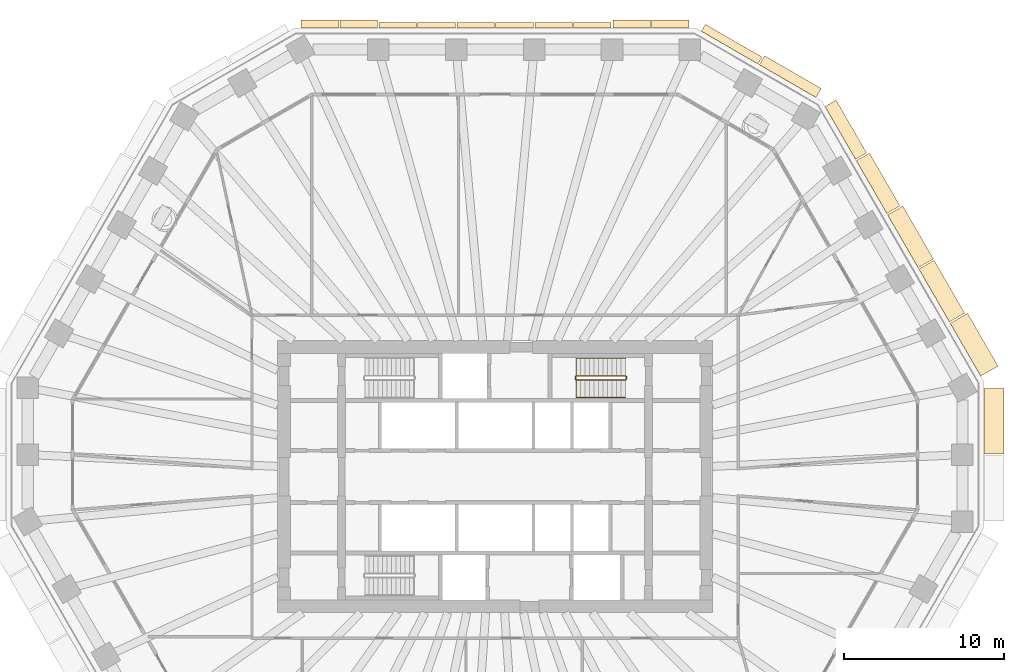
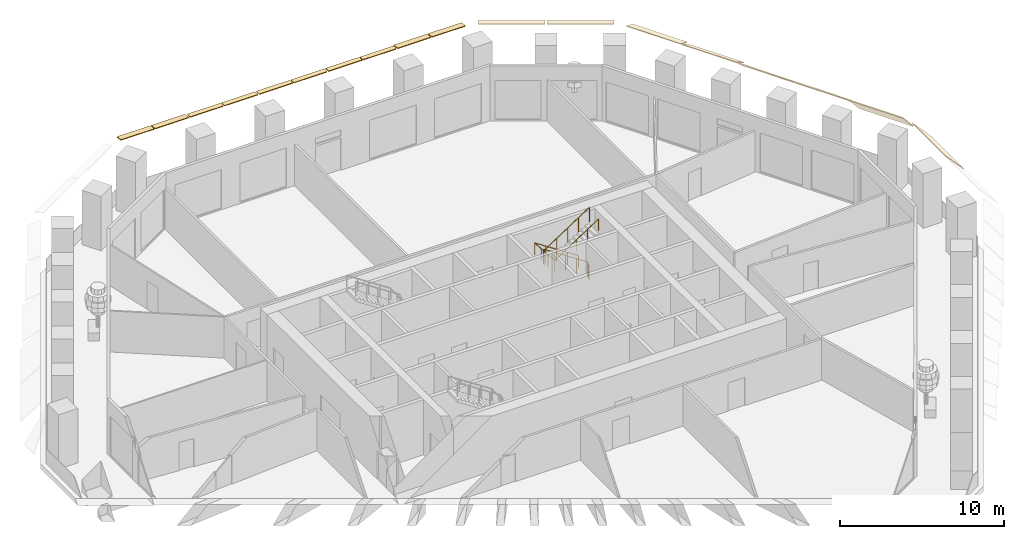
# One storey, part 10 of 12: 18 coverings, 2 railings.
"""IFC4 building model written with IfcOpenShell, lengths in metres."""

from ifc_helpers import new_model, si_unit, direction, frame, origin, origin_2d, place, context, subcontext, project, spatial, polyline, circle, outline, extrude, material, layer, layer_set, type_object, element, save


model = new_model("IFC4")

# Units and contexts
model_context = context("Model", 3, precision=1e-05, world=origin(), true_north=direction((0.0, 1.0)))
body_context = subcontext(model_context, "Body", "Model", "MODEL_VIEW")
ifc_project = project(units=[si_unit("LENGTHUNIT", "METRE"), si_unit("AREAUNIT", "SQUARE_METRE"), si_unit("VOLUMEUNIT", "CUBIC_METRE"), si_unit("PLANEANGLEUNIT", "RADIAN"), si_unit("MASSUNIT", "GRAM", prefix="KILO")], contexts=[model_context])

# Site, building, storey
site_placement = place(None, origin())
site = spatial("IfcSite", under=ifc_project, at=site_placement, CompositionType="ELEMENT")
building_placement = place(site_placement, origin())
building = spatial("IfcBuilding", under=site, at=building_placement, Name="Frailejon Research Tower", CompositionType="ELEMENT")
storey_placement = place(building_placement, frame((0.0, 0.0, 130.800048828125)))
storey = spatial("IfcBuildingStorey", under=building, at=storey_placement, Name="L28", CompositionType="ELEMENT", Elevation=130.800048828125)

# Coverings
ifc_material_1 = material(Name="Precast concrete C50/60", Category="concrete")
ifc_layer_1 = layer(ifc_material_1, 0.06005859375)
ifc_layer_set_1 = layer_set([ifc_layer_1], Name="Brim blade depth 1100")
covering_type_1 = type_object("IfcCoveringType", Name="Brim blade depth 1100", PredefinedType="CLADDING", material=ifc_layer_set_1)
covering_1_placement = place(storey_placement, frame((26.49267578125, 12.97900390625, 4.25), z_axis=(0.499990149831, -0.866031090707, 0.0), x_axis=(0.866031090707, 0.499990149831, 0.0)))
element("IfcCovering", 1, at=covering_1_placement, inside=storey, type_object=covering_type_1, Name="Brim blade L28", PredefinedType="CLADDING", context=body_context, shape_type="SweptSolid", body=[
    extrude(outline(polyline([(0.0, -0.078369140625), (1.10009765625, -1.001220703125), (1.10009765625, -0.923095703125), (0.0, 0.0), (0.0, -0.078369140625)])), origin(), (0.0, 0.0, 1.0), 3.812744140625),
])
covering_2_placement = place(storey_placement, frame((24.536376953125, 16.3671875, 4.25), z_axis=(0.500001217064, -0.866024701111, 0.0), x_axis=(0.866024701111, 0.500001217064, 0.0)))
element("IfcCovering", 2, at=covering_2_placement, inside=storey, type_object=covering_type_1, Name="Brim blade L28", PredefinedType="CLADDING", context=body_context, shape_type="SweptSolid", body=[
    extrude(outline(polyline([(0.0, -0.078369140625), (1.10009765625, -1.001220703125), (1.10009765625, -0.923095703125), (0.0, 0.0), (0.0, -0.078369140625)])), origin(), (0.0, 0.0, 1.0), 3.8125),
])
ifc_material_2 = material(Name="Precast concrete C50/60", Category="concrete")
ifc_layer_2 = layer(ifc_material_2, 0.06005859375)
ifc_layer_set_2 = layer_set([ifc_layer_2], Name="Brim blade depth 1250")
covering_type_2 = type_object("IfcCoveringType", Name="Brim blade depth 1250", PredefinedType="CLADDING", material=ifc_layer_set_2)
covering_3_placement = place(storey_placement, frame((30.56103515625, 5.520263671875, 4.25), z_axis=(0.0, -1.0, 0.0), x_axis=(1.0, 0.0, 0.0)))
element("IfcCovering", 3, at=covering_3_placement, inside=storey, type_object=covering_type_2, Name="Brim blade L28", PredefinedType="CLADDING", context=body_context, shape_type="SweptSolid", body=[
    extrude(outline(polyline([(0.0, -0.0888671875), (1.25, -1.452880859375), (1.25, -1.364013671875), (0.0, 0.0), (0.0, -0.0888671875)])), origin(), (0.0, 0.0, 1.0), 4.08740234375),
])
covering_4_placement = place(storey_placement, frame((28.448974609375, 9.59033203125, 4.25), z_axis=(0.500001217064, -0.866024701111, 0.0), x_axis=(0.866024701111, 0.500001217064, 0.0)))
element("IfcCovering", 4, at=covering_4_placement, inside=storey, type_object=covering_type_2, Name="Brim blade L28", PredefinedType="CLADDING", context=body_context, shape_type="SweptSolid", body=[
    extrude(outline(polyline([(0.0, -0.0888671875), (1.25, -1.452880859375), (1.25, -1.364013671875), (0.0, 0.0), (0.0, -0.0888671875)])), origin(), (0.0, 0.0, 1.0), 3.8125),
])
ifc_material_3 = material(Name="Precast concrete C50/60", Category="concrete")
ifc_layer_3 = layer(ifc_material_3, 0.06005859375)
ifc_layer_set_3 = layer_set([ifc_layer_3], Name="Brim blade depth 350")
covering_type_3 = type_object("IfcCoveringType", Name="Brim blade depth 350", PredefinedType="CLADDING", material=ifc_layer_set_3)
for number, where, z_axis, x_axis, name in (
    (5, (4.900634765625, 28.050048828125, 4.25), (1.0, 0.0, 0.0), (0.0, 1.0, 0.0), "Brim blade L28"),
    (6, (2.4853515625, 28.050048828125, 4.25), (1.0, 0.0, 0.0), (0.0, 1.0, 0.0), "Brim blade L28"),
    (7, (0.030029296875, 28.050048828125, 4.25), (1.0, 0.0, 0.0), (0.0, 1.0, 0.0), "Brim blade L28"),
    (8, (-2.38525390625, 28.050048828125, 4.25), (1.0, 0.0, 0.0), (0.0, 1.0, 0.0), "Brim blade L28"),
    (9, (-4.840576171875, 28.050048828125, 4.25), (1.0, 0.0, 0.0), (0.0, 1.0, 0.0), "Brim blade L28"),
    (10, (-7.255859375, 28.050048828125, 4.25), (1.0, 0.0, 0.0), (0.0, 1.0, 0.0), "Brim blade L28"),
):
    element("IfcCovering", number, at=place(storey_placement, frame(where, z_axis=z_axis, x_axis=x_axis)), inside=storey, type_object=covering_type_3, Name=name, PredefinedType="CLADDING", context=body_context, shape_type="SweptSolid", body=[
        extrude(outline(polyline([(0.0, -0.06005859375), (0.35009765625, -0.06005859375), (0.35009765625, 0.0), (0.0, 0.0), (0.0, -0.06005859375)])), origin(), (0.0, 0.0, 1.0), 2.355224609375),
    ])
ifc_material_4 = material(Name="Precast concrete C50/60", Category="concrete")
ifc_layer_4 = layer(ifc_material_4, 0.06005859375)
ifc_layer_set_4 = layer_set([ifc_layer_4], Name="Brim blade depth 500")
covering_type_4 = type_object("IfcCoveringType", Name="Brim blade depth 500", PredefinedType="CLADDING", material=ifc_layer_set_4)
covering_5_placement = place(storey_placement, frame((12.894775390625, 27.843994140625, 4.25), z_axis=(0.866027315287, -0.499996689166, 0.0), x_axis=(0.499996689166, 0.866027315287, 0.0)))
element("IfcCovering", 11, at=covering_5_placement, inside=storey, type_object=covering_type_4, Name="Brim blade L28", PredefinedType="CLADDING", context=body_context, shape_type="SweptSolid", body=[
    extrude(outline(polyline([(0.0, -0.060546875), (0.5, -0.130859375), (0.5, -0.0703125), (0.0, 0.0), (0.0, -0.060546875)])), origin(), (0.0, 0.0, 1.0), 4.087646484375),
])
for number, where, z_axis, x_axis, name in (
    (12, (9.771240234375, 28.050048828125, 4.25), (1.0, 0.0, 0.0), (0.0, 1.0, 0.0), "Brim blade L28"),
    (13, (7.35595703125, 28.050048828125, 4.25), (1.0, 0.0, 0.0), (0.0, 1.0, 0.0), "Brim blade L28"),
    (14, (-9.711181640625, 28.050048828125, 4.25), (1.0, 0.0, 0.0), (0.0, 1.0, 0.0), "Brim blade L28"),
    (15, (-12.12646484375, 28.050048828125, 4.25), (1.0, 0.0, 0.0), (0.0, 1.0, 0.0), "Brim blade L28"),
):
    element("IfcCovering", number, at=place(storey_placement, frame(where, z_axis=z_axis, x_axis=x_axis)), inside=storey, type_object=covering_type_4, Name=name, PredefinedType="CLADDING", context=body_context, shape_type="SweptSolid", body=[
        extrude(outline(polyline([(0.0, -0.060546875), (0.5, -0.130859375), (0.5, -0.0703125), (0.0, 0.0), (0.0, -0.060546875)])), origin(), (0.0, 0.0, 1.0), 2.355224609375),
    ])
ifc_material_5 = material(Name="Precast concrete C50/60", Category="concrete")
ifc_layer_5 = layer(ifc_material_5, 0.06005859375)
ifc_layer_set_5 = layer_set([ifc_layer_5], Name="Brim blade depth 650")
covering_type_5 = type_object("IfcCoveringType", Name="Brim blade depth 650", PredefinedType="CLADDING", material=ifc_layer_set_5)
covering_6_placement = place(storey_placement, frame((16.521484375, 25.750244140625, 4.25), z_axis=(0.866021344981, -0.500007029989, 0.0), x_axis=(0.500007029989, 0.866021344981, 0.0)))
element("IfcCovering", 16, at=covering_6_placement, inside=storey, type_object=covering_type_5, Name="Brim blade L28", PredefinedType="CLADDING", context=body_context, shape_type="SweptSolid", body=[
    extrude(outline(polyline([(0.0, -0.0625), (0.64990234375, -0.248779296875), (0.64990234375, -0.186279296875), (0.0, 0.0), (0.0, -0.0625)])), origin(), (0.0, 0.0, 1.0), 4.08740234375),
])
ifc_material_6 = material(Name="Precast concrete C50/60", Category="concrete")
ifc_layer_6 = layer(ifc_material_6, 0.06005859375)
ifc_layer_set_6 = layer_set([ifc_layer_6], Name="Brim blade depth 800")
covering_type_6 = type_object("IfcCoveringType", Name="Brim blade depth 800", PredefinedType="CLADDING", material=ifc_layer_set_6)
covering_7_placement = place(storey_placement, frame((20.623779296875, 23.14404296875, 4.25), z_axis=(0.500001217064, -0.866024701111, 0.0), x_axis=(0.866024701111, 0.500001217064, 0.0)))
element("IfcCovering", 17, at=covering_7_placement, inside=storey, type_object=covering_type_6, Name="Brim blade L28", PredefinedType="CLADDING", context=body_context, shape_type="SweptSolid", body=[
    extrude(outline(polyline([(0.0, -0.065673828125), (0.800048828125, -0.421875), (0.800048828125, -0.356201171875), (0.0, 0.0), (0.0, -0.065673828125)])), origin(), (0.0, 0.0, 1.0), 3.8125),
])
ifc_material_7 = material(Name="Precast concrete C50/60", Category="concrete")
ifc_layer_7 = layer(ifc_material_7, 0.06005859375)
ifc_layer_set_7 = layer_set([ifc_layer_7], Name="Brim blade depth 950")
covering_type_7 = type_object("IfcCoveringType", Name="Brim blade depth 950", PredefinedType="CLADDING", material=ifc_layer_set_7)
covering_8_placement = place(storey_placement, frame((22.580078125, 19.755615234375, 4.25), z_axis=(0.500001217064, -0.866024701111, 0.0), x_axis=(0.866024701111, 0.500001217064, 0.0)))
element("IfcCovering", 18, at=covering_8_placement, inside=storey, type_object=covering_type_7, Name="Brim blade L28", PredefinedType="CLADDING", context=body_context, shape_type="SweptSolid", body=[
    extrude(outline(polyline([(0.0, -0.07080078125), (0.949951171875, -0.664306640625), (0.949951171875, -0.593505859375), (0.0, 0.0), (0.0, -0.07080078125)])), origin(), (0.0, 0.0, 1.0), 3.8125),
])

# Railings
ifc_material_8 = material(Name="Stainless steel", Category="steel")
railing_type_1 = type_object("IfcRailingType", Name="Stair guard 1100", PredefinedType="GUARDRAIL", material=ifc_material_8)
railing_1_placement = place(storey_placement, frame((8.199951171875, 6.10009765625, 0.0)))
element("IfcRailing", 19, at=railing_1_placement, inside=storey, type_object=railing_type_1, Name="L28 ST3 stair guard 1", PredefinedType="GUARDRAIL", context=body_context, shape_type="SweptSolid", body=[
    extrude(circle(Radius=0.02392578125, at=origin_2d()), frame((0.0, 0.0, 1.076171875), z_axis=(0.0, 1.0, 0.0), x_axis=(-1.0, 0.0, 0.0)), (0.0, 0.0, 1.0), 0.14990234375),
    extrude(circle(Radius=0.02392578125, at=origin_2d()), frame((0.0, 0.14990234375, 1.076171875), z_axis=(-0.254653276557, 0.254653276557, 0.932900539971), x_axis=(-0.707106781187, -0.707106781187, 0.0)), (0.0, 0.0, 1.0), 0.196533203125),
    extrude(circle(Radius=0.02392578125, at=origin_2d()), frame((-0.050048828125, 0.199951171875, 1.25927734375), z_axis=(-0.836613101238, 0.0, 0.547794230379), x_axis=(0.0, -1.0, 0.0)), (0.0, 0.0, 1.0), 3.681396484375),
    extrude(circle(Radius=0.02392578125, at=origin_2d()), frame((-3.1298828125, 0.199951171875, 3.27587890625), z_axis=(-0.707106781187, -0.707106781187, 0.0), x_axis=(0.707106781187, -0.707106781187, 0.0)), (0.0, 0.0, 1.0), 0.07080078125),
    extrude(circle(Radius=0.02392578125, at=origin_2d()), frame((-3.179931640625, 0.14990234375, 3.27587890625), z_axis=(0.0, -1.0, 0.0), x_axis=(1.0, 0.0, 0.0)), (0.0, 0.0, 1.0), 0.14990234375),
    extrude(circle(Radius=0.02392578125, at=origin_2d()), frame((-3.179931640625, 0.0, 3.27587890625), z_axis=(0.254653276557, -0.254653276557, 0.932900539971), x_axis=(0.707106781187, 0.707106781187, 0.0)), (0.0, 0.0, 1.0), 0.196533203125),
    extrude(circle(Radius=0.02392578125, at=origin_2d()), frame((-3.1298828125, -0.050048828125, 3.45947265625), z_axis=(0.836613101238, 0.0, 0.547794230379), x_axis=(0.0, 1.0, 0.0)), (0.0, 0.0, 1.0), 3.681396484375),
    extrude(circle(Radius=0.02099609375, at=origin_2d()), origin(), (0.0, 0.0, 1.0), 1.052001953125),
    extrude(circle(Radius=0.02099609375, at=origin_2d()), frame((0.0, 0.14990234375, 0.0)), (0.0, 0.0, 1.0), 1.052001953125),
    extrude(circle(Radius=0.02099609375, at=origin_2d()), frame((-0.050048828125, 0.199951171875, 0.183349609375)), (0.0, 0.0, 1.0), 1.052001953125),
    extrude(circle(Radius=0.02099609375, at=origin_2d()), frame((-0.820068359375, 0.199951171875, 0.6875)), (0.0, 0.0, 1.0), 1.052001953125),
    extrude(circle(Radius=0.02099609375, at=origin_2d()), frame((-1.58984375, 0.199951171875, 1.191650390625)), (0.0, 0.0, 1.0), 1.052001953125),
    extrude(circle(Radius=0.02099609375, at=origin_2d()), frame((-2.35986328125, 0.199951171875, 1.69580078125)), (0.0, 0.0, 1.0), 1.052001953125),
    extrude(circle(Radius=0.02099609375, at=origin_2d()), frame((-3.1298828125, 0.199951171875, 2.199951171875)), (0.0, 0.0, 1.0), 1.052001953125),
    extrude(circle(Radius=0.02099609375, at=origin_2d()), frame((-3.179931640625, 0.14990234375, 2.199951171875)), (0.0, 0.0, 1.0), 1.052001953125),
    extrude(circle(Radius=0.02099609375, at=origin_2d()), frame((-3.179931640625, 0.0, 2.199951171875)), (0.0, 0.0, 1.0), 1.052001953125),
    extrude(circle(Radius=0.02099609375, at=origin_2d()), frame((-3.1298828125, -0.050048828125, 2.38330078125)), (0.0, 0.0, 1.0), 1.052001953125),
    extrude(circle(Radius=0.02099609375, at=origin_2d()), frame((-2.35986328125, -0.050048828125, 2.887451171875)), (0.0, 0.0, 1.0), 1.052001953125),
    extrude(circle(Radius=0.02099609375, at=origin_2d()), frame((-1.58984375, -0.050048828125, 3.3916015625)), (0.0, 0.0, 1.0), 1.052001953125),
    extrude(circle(Radius=0.02099609375, at=origin_2d()), frame((-0.820068359375, -0.050048828125, 3.895751953125)), (0.0, 0.0, 1.0), 1.052001953125),
    extrude(circle(Radius=0.02099609375, at=origin_2d()), frame((-0.050048828125, -0.050048828125, 4.39990234375)), (0.0, 0.0, 1.0), 1.052001953125),
])
ifc_material_9 = material(Name="Stainless steel", Category="steel")
railing_type_2 = type_object("IfcRailingType", Name="Stair handrail 900", PredefinedType="HANDRAIL", material=ifc_material_9)
railing_2_placement = place(storey_placement, frame((8.14990234375, 7.39990234375, 0.183349609375)))
element("IfcRailing", 20, at=railing_2_placement, inside=storey, type_object=railing_type_2, Name="L28 ST3 stair handrail 1", PredefinedType="HANDRAIL", context=body_context, shape_type="SweptSolid", body=[
    extrude(circle(Radius=0.02392578125, at=origin_2d()), frame((0.0, 0.0, 0.8759765625), z_axis=(-0.836613101238, 0.0, 0.547794230379), x_axis=(0.0, -1.0, 0.0)), (0.0, 0.0, 1.0), 3.681396484375),
    extrude(circle(Radius=0.02392578125, at=origin_2d()), frame((-3.079833984375, 0.0, 2.892578125), z_axis=(0.0, -0.99721134034, 0.074629368868), x_axis=(1.0, 0.0, 0.0)), (0.0, 0.0, 1.0), 2.456787109375),
    extrude(circle(Radius=0.02392578125, at=origin_2d()), frame((-3.079833984375, -2.449951171875, 3.07568359375), z_axis=(0.836613101238, 0.0, 0.547794230379), x_axis=(0.0, 1.0, 0.0)), (0.0, 0.0, 1.0), 3.681396484375),
    extrude(circle(Radius=0.02099609375, at=origin_2d()), origin(), (0.0, 0.0, 1.0), 0.851806640625),
    extrude(circle(Radius=0.02099609375, at=origin_2d()), frame((-0.77001953125, 0.0, 0.504150390625)), (0.0, 0.0, 1.0), 0.851806640625),
    extrude(circle(Radius=0.02099609375, at=origin_2d()), frame((-1.5400390625, 0.0, 1.00830078125)), (0.0, 0.0, 1.0), 0.851806640625),
    extrude(circle(Radius=0.02099609375, at=origin_2d()), frame((-2.309814453125, 0.0, 1.512451171875)), (0.0, 0.0, 1.0), 0.851806640625),
    extrude(circle(Radius=0.02099609375, at=origin_2d()), frame((-3.079833984375, 0.0, 2.0166015625)), (0.0, 0.0, 1.0), 0.851806640625),
    extrude(circle(Radius=0.02099609375, at=origin_2d()), frame((-3.079833984375, -0.816650390625, 2.07763671875)), (0.0, 0.0, 1.0), 0.851806640625),
    extrude(circle(Radius=0.02099609375, at=origin_2d()), frame((-3.079833984375, -1.63330078125, 2.138916015625)), (0.0, 0.0, 1.0), 0.851806640625),
    extrude(circle(Radius=0.02099609375, at=origin_2d()), frame((-3.079833984375, -2.449951171875, 2.199951171875)), (0.0, 0.0, 1.0), 0.851806640625),
    extrude(circle(Radius=0.02099609375, at=origin_2d()), frame((-2.309814453125, -2.449951171875, 2.7041015625)), (0.0, 0.0, 1.0), 0.851806640625),
    extrude(circle(Radius=0.02099609375, at=origin_2d()), frame((-1.5400390625, -2.449951171875, 3.208251953125)), (0.0, 0.0, 1.0), 0.851806640625),
    extrude(circle(Radius=0.02099609375, at=origin_2d()), frame((-0.77001953125, -2.449951171875, 3.71240234375)), (0.0, 0.0, 1.0), 0.851806640625),
    extrude(circle(Radius=0.02099609375, at=origin_2d()), frame((0.0, -2.449951171875, 4.216552734375)), (0.0, 0.0, 1.0), 0.851806640625),
])

save(model, "model.ifc")
